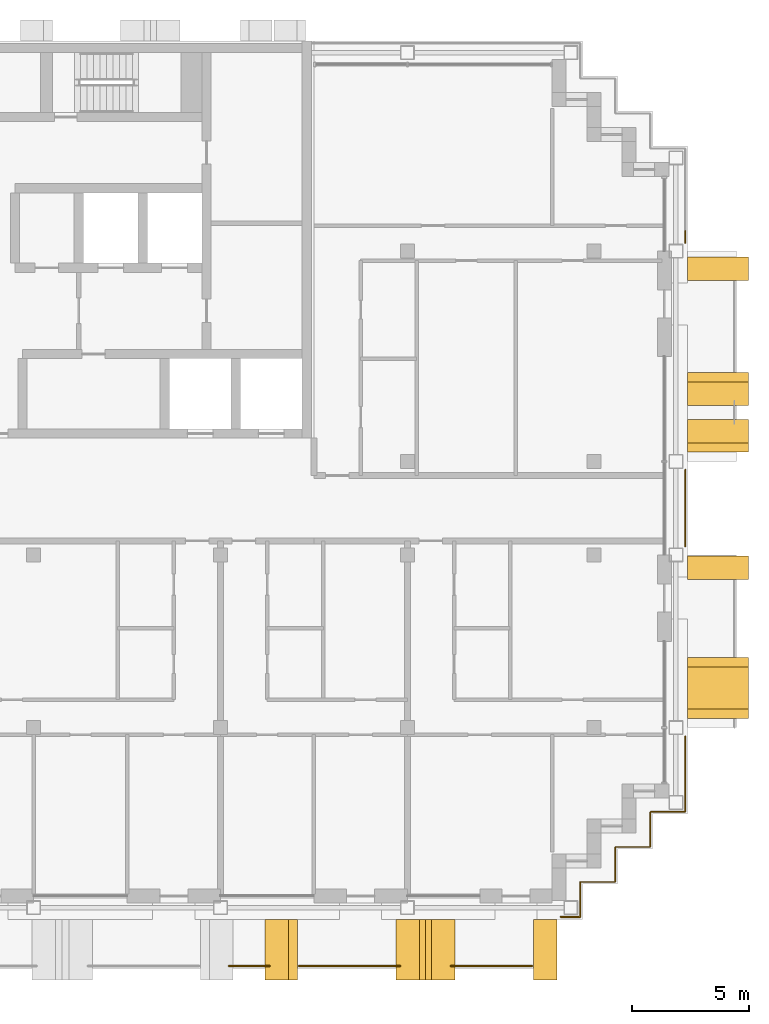
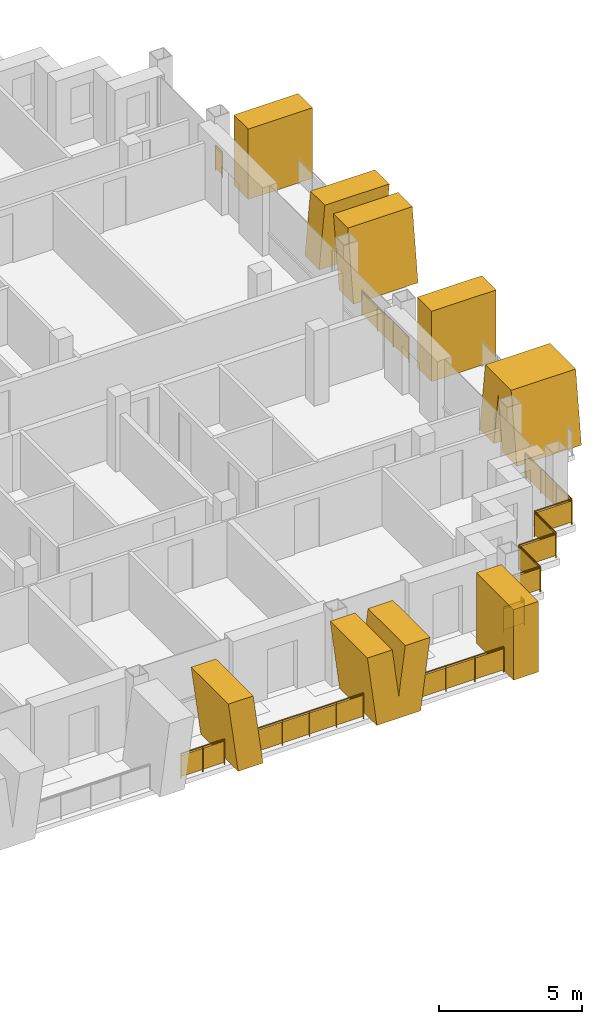
# One storey, part 13 of 15: 8 shading devices, 7 railings.
"""IFC4 building model written with IfcOpenShell, lengths in metres."""

from ifc_helpers import new_model, si_unit, direction, frame, origin, origin_2d, place, context, subcontext, project, spatial, polyline, rectangle, circle, outline, extrude, material, layer, layer_set, type_object, element, save


model = new_model("IFC4")

# Units and contexts
model_context = context("Model", 3, precision=1e-05, world=origin(), true_north=direction((0.0, 1.0)))
body_context = subcontext(model_context, "Body", "Model", "MODEL_VIEW")
ifc_project = project(units=[si_unit("LENGTHUNIT", "METRE"), si_unit("AREAUNIT", "SQUARE_METRE"), si_unit("VOLUMEUNIT", "CUBIC_METRE"), si_unit("PLANEANGLEUNIT", "RADIAN"), si_unit("MASSUNIT", "GRAM", prefix="KILO")], contexts=[model_context])

# Site, building, storey
site_placement = place(None, origin())
site = spatial("IfcSite", under=ifc_project, at=site_placement, CompositionType="ELEMENT")
building_placement = place(site_placement, origin())
building = spatial("IfcBuilding", under=site, at=building_placement, Name="Vidyagriha Tower", CompositionType="ELEMENT")
storey_placement = place(building_placement, frame((0.0, 0.0, 210.800048828125)))
storey = spatial("IfcBuildingStorey", under=building, at=storey_placement, Name="L54", CompositionType="ELEMENT", Elevation=210.800048828125)

# Railings
ifc_material_1 = material(Name="Steel ASTM A500 Grade C black painted", Category="steel")
railing_type_1 = type_object("IfcRailingType", Name="Balcony guard 1100", PredefinedType="BALUSTRADE", material=ifc_material_1)
railing_1_placement = place(storey_placement, frame((10.346435546875, -19.60009765625, 0.0)))
element("IfcRailing", 1, at=railing_1_placement, inside=storey, type_object=railing_type_1, Name="Balcony guard L54 R23.1-7", PredefinedType="BALUSTRADE", context=body_context, shape_type="SweptSolid", body=[
    extrude(circle(Radius=0.02490234375, at=origin_2d()), frame((0.0, 0.0, 1.0751953125), z_axis=(1.0, 0.0, 0.0), x_axis=(0.0, 1.0, 0.0)), (0.0, 0.0, 1.0), 1.757080078125),
    extrude(circle(Radius=0.02001953125, at=origin_2d()), origin(), (0.0, 0.0, 1.0), 1.050048828125),
    extrude(circle(Radius=0.02001953125, at=origin_2d()), frame((0.87841796875, 0.0, 0.0)), (0.0, 0.0, 1.0), 1.050048828125),
    extrude(circle(Radius=0.02001953125, at=origin_2d()), frame((1.757080078125, 0.0, 0.0)), (0.0, 0.0, 1.0), 1.050048828125),
    extrude(rectangle(XDim=0.010009765625, YDim=0.900146484375, at=origin_2d()), frame((0.0, 0.0, 0.550048828125), z_axis=(1.0, 0.0, 0.0), x_axis=(0.0, 1.0, 0.0)), (0.0, 0.0, 1.0), 1.757080078125),
])
railing_2_placement = place(storey_placement, frame((13.35498046875, -19.60009765625, 0.0)))
element("IfcRailing", 2, at=railing_2_placement, inside=storey, type_object=railing_type_1, Name="Balcony guard L54 R23.1-8", PredefinedType="BALUSTRADE", context=body_context, shape_type="SweptSolid", body=[
    extrude(circle(Radius=0.02490234375, at=origin_2d()), frame((0.0, 0.0, 1.0751953125), z_axis=(1.0, 0.0, 0.0), x_axis=(0.0, 1.0, 0.0)), (0.0, 0.0, 1.0), 4.3427734375),
    extrude(circle(Radius=0.02001953125, at=origin_2d()), origin(), (0.0, 0.0, 1.0), 1.050048828125),
    extrude(circle(Radius=0.02001953125, at=origin_2d()), frame((1.085693359375, 0.0, 0.0)), (0.0, 0.0, 1.0), 1.050048828125),
    extrude(circle(Radius=0.02001953125, at=origin_2d()), frame((2.17138671875, 0.0, 0.0)), (0.0, 0.0, 1.0), 1.050048828125),
    extrude(circle(Radius=0.02001953125, at=origin_2d()), frame((3.257080078125, 0.0, 0.0)), (0.0, 0.0, 1.0), 1.050048828125),
    extrude(circle(Radius=0.02001953125, at=origin_2d()), frame((4.3427734375, 0.0, 0.0)), (0.0, 0.0, 1.0), 1.050048828125),
    extrude(rectangle(XDim=0.010009765625, YDim=0.900146484375, at=origin_2d()), frame((0.0, 0.0, 0.550048828125), z_axis=(1.0, 0.0, 0.0), x_axis=(0.0, 1.0, 0.0)), (0.0, 0.0, 1.0), 4.3427734375),
])
railing_3_placement = place(storey_placement, frame((19.852294921875, -19.60009765625, 0.0)))
element("IfcRailing", 3, at=railing_3_placement, inside=storey, type_object=railing_type_1, Name="Balcony guard L54 R23.1-9", PredefinedType="BALUSTRADE", context=body_context, shape_type="SweptSolid", body=[
    extrude(circle(Radius=0.02490234375, at=origin_2d()), frame((0.0, 0.0, 1.0751953125), z_axis=(1.0, 0.0, 0.0), x_axis=(0.0, 1.0, 0.0)), (0.0, 0.0, 1.0), 3.497802734375),
    extrude(circle(Radius=0.02001953125, at=origin_2d()), origin(), (0.0, 0.0, 1.0), 1.050048828125),
    extrude(circle(Radius=0.02001953125, at=origin_2d()), frame((1.166015625, 0.0, 0.0)), (0.0, 0.0, 1.0), 1.050048828125),
    extrude(circle(Radius=0.02001953125, at=origin_2d()), frame((2.331787109375, 0.0, 0.0)), (0.0, 0.0, 1.0), 1.050048828125),
    extrude(circle(Radius=0.02001953125, at=origin_2d()), frame((3.497802734375, 0.0, 0.0)), (0.0, 0.0, 1.0), 1.050048828125),
    extrude(rectangle(XDim=0.010009765625, YDim=0.900146484375, at=origin_2d()), frame((0.0, 0.0, 0.550048828125), z_axis=(1.0, 0.0, 0.0), x_axis=(0.0, 1.0, 0.0)), (0.0, 0.0, 1.0), 3.497802734375),
])

# Shading devices
ifc_material_2 = material(Name="Precast concrete C40/50 with buff brick facing", Category="concrete")
ifc_layer_1 = layer(ifc_material_2, 1.0)
ifc_layer_set_1 = layer_set([ifc_layer_1], Name="Precast concrete C40/50 with buff brick facing")
shading_device_type_1 = type_object("IfcShadingDeviceType", Name="Brick-faced blade fin arm leaning 8 degrees", PredefinedType="USERDEFINED", material=ifc_layer_set_1)
shading_device_1_placement = place(storey_placement, frame((11.909912109375, -18.89990234375, 0.0)))
element("IfcShadingDevice", 4, at=shading_device_1_placement, inside=storey, type_object=shading_device_type_1, Name="Leaning blade fin L54 R23.3420b", ObjectType="BLADE FIN", PredefinedType="USERDEFINED", context=body_context, shape_type="SweptSolid", body=[
    extrude(outline(polyline([(0.39501953125, 0.0), (1.39501953125, 0.0), (1.0, 3.0), (0.0, 3.0), (0.39501953125, 0.0)])), frame((0.0, 1.300048828125, 0.0), z_axis=(0.0, -1.0, 0.0), x_axis=(1.0, 0.0, 0.0)), (0.0, 0.0, 1.0), 2.60009765625),
])
shading_device_2_placement = place(storey_placement, frame((31.300048828125, 2.39990234375, 0.0), z_axis=(0.0, 0.0, 1.0), x_axis=(0.0, 1.0, 0.0)))
element("IfcShadingDevice", 5, at=shading_device_2_placement, inside=storey, type_object=shading_device_type_1, Name="Leaning blade fin L54 R30.1380a", ObjectType="BLADE FIN", PredefinedType="USERDEFINED", context=body_context, shape_type="SweptSolid", body=[
    extrude(outline(polyline([(0.0, 0.0), (1.0, 0.0), (1.39990234375, 3.0), (0.39990234375, 3.0), (0.0, 0.0)])), frame((0.0, 1.300048828125, 0.0), z_axis=(0.0, -1.0, 0.0), x_axis=(1.0, 0.0, 0.0)), (0.0, 0.0, 1.0), 2.60009765625),
])
shading_device_3_placement = place(storey_placement, frame((31.300048828125, 4.39990234375, 0.0), z_axis=(0.0, 0.0, 1.0), x_axis=(0.0, 1.0, 0.0)))
element("IfcShadingDevice", 6, at=shading_device_3_placement, inside=storey, type_object=shading_device_type_1, Name="Leaning blade fin L54 R30.1380b", ObjectType="BLADE FIN", PredefinedType="USERDEFINED", context=body_context, shape_type="SweptSolid", body=[
    extrude(outline(polyline([(0.39990234375, 0.0), (1.39990234375, 0.0), (1.0, 3.0), (0.0, 3.0), (0.39990234375, 0.0)])), frame((0.0, 1.300048828125, 0.0), z_axis=(0.0, -1.0, 0.0), x_axis=(1.0, 0.0, 0.0)), (0.0, 0.0, 1.0), 2.60009765625),
])
ifc_material_3 = material(Name="Precast concrete C40/50 with buff brick facing", Category="concrete")
ifc_layer_2 = layer(ifc_material_3, 1.0)
ifc_layer_set_2 = layer_set([ifc_layer_2], Name="Precast concrete C40/50 with buff brick facing")
shading_device_type_2 = type_object("IfcShadingDeviceType", Name="Brick-faced blade fin forking 8 degrees", PredefinedType="USERDEFINED", material=ifc_layer_set_2)
shading_device_4_placement = place(storey_placement, frame((17.512451171875, -18.89990234375, 0.0)))
element("IfcShadingDevice", 7, at=shading_device_4_placement, inside=storey, type_object=shading_device_type_2, Name="Forked blade fin L54 R23.4220a", ObjectType="BLADE FIN", PredefinedType="USERDEFINED", context=body_context, shape_type="SweptSolid", body=[
    extrude(outline(polyline([(0.38134765625, 0.0), (2.143798828125, 0.0), (2.52490234375, 3.0), (1.52490234375, 3.0), (1.262451171875, 0.934326171875), (1.0, 3.0), (0.0, 3.0), (0.38134765625, 0.0)])), frame((0.0, 1.300048828125, 0.0), z_axis=(0.0, -1.0, 0.0), x_axis=(1.0, 0.0, 0.0)), (0.0, 0.0, 1.0), 2.60009765625),
])
shading_device_5_placement = place(storey_placement, frame((31.300048828125, -9.0, 0.0), z_axis=(0.0, 0.0, 1.0), x_axis=(0.0, 1.0, 0.0)))
element("IfcShadingDevice", 8, at=shading_device_5_placement, inside=storey, type_object=shading_device_type_2, Name="Forked blade fin L54 R30.240a", ObjectType="BLADE FIN", PredefinedType="USERDEFINED", context=body_context, shape_type="SweptSolid", body=[
    extrude(outline(polyline([(1.0, 0.0), (1.300048828125, 2.25), (1.60009765625, 0.0), (2.60009765625, 0.0), (2.199951171875, 3.0), (0.39990234375, 3.0), (0.0, 0.0), (1.0, 0.0)])), frame((0.0, 1.300048828125, 0.0), z_axis=(0.0, -1.0, 0.0), x_axis=(1.0, 0.0, 0.0)), (0.0, 0.0, 1.0), 2.60009765625),
])
ifc_material_4 = material(Name="Precast concrete C40/50 with buff brick facing", Category="concrete")
ifc_layer_3 = layer(ifc_material_4, 1.0)
ifc_layer_set_3 = layer_set([ifc_layer_3], Name="Precast concrete C40/50 with buff brick facing")
shading_device_type_3 = type_object("IfcShadingDeviceType", Name="Brick-faced blade fin stem 1000", PredefinedType="USERDEFINED", material=ifc_layer_set_3)
shading_device_6_placement = place(storey_placement, frame((23.39990234375, -18.89990234375, 0.0)))
element("IfcShadingDevice", 9, at=shading_device_6_placement, inside=storey, type_object=shading_device_type_3, Name="Stem blade fin L54 R23.4840a", ObjectType="BLADE FIN", PredefinedType="USERDEFINED", context=body_context, shape_type="SweptSolid", body=[
    extrude(outline(polyline([(0.0, 0.0), (1.0, 0.0), (1.0, 3.0), (0.0, 3.0), (0.0, 0.0)])), frame((0.0, 1.300048828125, 0.0), z_axis=(0.0, -1.0, 0.0), x_axis=(1.0, 0.0, 0.0)), (0.0, 0.0, 1.0), 2.60009765625),
])
for number, where, z_axis, x_axis, name in (
    (10, (31.300048828125, -3.050048828125, 0.0), (0.0, 0.0, 1.0), (0.0, 1.0, 0.0), "Stem blade fin L54 R30.980a"),
    (11, (31.300048828125, 9.75, 0.0), (0.0, 0.0, 1.0), (0.0, 1.0, 0.0), "Stem blade fin L54 R30.2280a"),
):
    element("IfcShadingDevice", number, at=place(storey_placement, frame(where, z_axis=z_axis, x_axis=x_axis)), inside=storey, type_object=shading_device_type_3, Name=name, ObjectType="BLADE FIN", PredefinedType="USERDEFINED", context=body_context, shape_type="SweptSolid", body=[
        extrude(outline(polyline([(0.0, 0.0), (1.0, 0.0), (1.0, 3.0), (0.0, 3.0), (0.0, 0.0)])), frame((0.0, 1.300048828125, 0.0), z_axis=(0.0, -1.0, 0.0), x_axis=(1.0, 0.0, 0.0)), (0.0, 0.0, 1.0), 2.60009765625),
    ])

# Railings
ifc_material_5 = material(Name="Steel ASTM A500 Grade C black painted", Category="steel")
railing_type_2 = type_object("IfcRailingType", Name="Gallery guard 1100", PredefinedType="GUARDRAIL", material=ifc_material_5)
railing_4_placement = place(storey_placement, frame((29.89990234375, 11.8701171875, 0.0)))
element("IfcRailing", 12, at=railing_4_placement, inside=storey, type_object=railing_type_2, Name="Gallery guard L54 9", PredefinedType="GUARDRAIL", context=body_context, shape_type="SweptSolid", body=[
    extrude(circle(Radius=0.02490234375, at=origin_2d()), frame((0.0, 0.0, 1.0751953125), z_axis=(0.0, -1.0, 0.0), x_axis=(1.0, 0.0, 0.0)), (0.0, 0.0, 1.0), 0.510009765625),
    extrude(circle(Radius=0.02001953125, at=origin_2d()), origin(), (0.0, 0.0, 1.0), 1.050048828125),
    extrude(circle(Radius=0.02001953125, at=origin_2d()), frame((0.0, -0.510009765625, 0.0)), (0.0, 0.0, 1.0), 1.050048828125),
    extrude(rectangle(XDim=0.010009765625, YDim=0.900146484375, at=origin_2d()), frame((0.0, 0.0, 0.550048828125), z_axis=(0.0, -1.0, 0.0), x_axis=(1.0, 0.0, 0.0)), (0.0, 0.0, 1.0), 0.510009765625),
])
railing_5_placement = place(storey_placement, frame((29.89990234375, -9.760009765625, 0.0)))
element("IfcRailing", 13, at=railing_5_placement, inside=storey, type_object=railing_type_2, Name="Gallery guard L54 10", PredefinedType="GUARDRAIL", context=body_context, shape_type="SweptSolid", body=[
    extrude(circle(Radius=0.02490234375, at=origin_2d()), frame((0.0, 0.0, 1.0751953125), z_axis=(0.0, -1.0, 0.0), x_axis=(1.0, 0.0, 0.0)), (0.0, 0.0, 1.0), 3.239990234375),
    extrude(circle(Radius=0.02490234375, at=origin_2d()), frame((0.0, -3.239990234375, 1.0751953125), z_axis=(-1.0, 0.0, 0.0), x_axis=(0.0, -1.0, 0.0)), (0.0, 0.0, 1.0), 1.5),
    extrude(circle(Radius=0.02490234375, at=origin_2d()), frame((-1.5, -3.239990234375, 1.0751953125), z_axis=(0.0, -1.0, 0.0), x_axis=(1.0, 0.0, 0.0)), (0.0, 0.0, 1.0), 1.5),
    extrude(circle(Radius=0.02490234375, at=origin_2d()), frame((-1.5, -4.739990234375, 1.0751953125), z_axis=(-1.0, 0.0, 0.0), x_axis=(0.0, -1.0, 0.0)), (0.0, 0.0, 1.0), 1.5),
    extrude(circle(Radius=0.02490234375, at=origin_2d()), frame((-3.0, -4.739990234375, 1.0751953125), z_axis=(0.0, -1.0, 0.0), x_axis=(1.0, 0.0, 0.0)), (0.0, 0.0, 1.0), 1.5),
    extrude(circle(Radius=0.02490234375, at=origin_2d()), frame((-3.0, -6.239990234375, 1.0751953125), z_axis=(-1.0, 0.0, 0.0), x_axis=(0.0, -1.0, 0.0)), (0.0, 0.0, 1.0), 1.5),
    extrude(circle(Radius=0.02490234375, at=origin_2d()), frame((-4.5, -6.239990234375, 1.0751953125), z_axis=(0.0, -1.0, 0.0), x_axis=(1.0, 0.0, 0.0)), (0.0, 0.0, 1.0), 1.260009765625),
    extrude(circle(Radius=0.02001953125, at=origin_2d()), origin(), (0.0, 0.0, 1.0), 1.050048828125),
    extrude(circle(Radius=0.02001953125, at=origin_2d()), frame((0.0, -1.080078125, 0.0)), (0.0, 0.0, 1.0), 1.050048828125),
    extrude(circle(Radius=0.02001953125, at=origin_2d()), frame((0.0, -2.159912109375, 0.0)), (0.0, 0.0, 1.0), 1.050048828125),
    extrude(circle(Radius=0.02001953125, at=origin_2d()), frame((0.0, -3.239990234375, 0.0)), (0.0, 0.0, 1.0), 1.050048828125),
    extrude(circle(Radius=0.02001953125, at=origin_2d()), frame((-1.5, -3.239990234375, 0.0)), (0.0, 0.0, 1.0), 1.050048828125),
    extrude(circle(Radius=0.02001953125, at=origin_2d()), frame((-1.5, -4.739990234375, 0.0)), (0.0, 0.0, 1.0), 1.050048828125),
    extrude(circle(Radius=0.02001953125, at=origin_2d()), frame((-3.0, -4.739990234375, 0.0)), (0.0, 0.0, 1.0), 1.050048828125),
    extrude(circle(Radius=0.02001953125, at=origin_2d()), frame((-3.0, -6.239990234375, 0.0)), (0.0, 0.0, 1.0), 1.050048828125),
    extrude(circle(Radius=0.02001953125, at=origin_2d()), frame((-4.5, -6.239990234375, 0.0)), (0.0, 0.0, 1.0), 1.050048828125),
    extrude(circle(Radius=0.02001953125, at=origin_2d()), frame((-4.5, -7.5, 0.0)), (0.0, 0.0, 1.0), 1.050048828125),
    extrude(rectangle(XDim=0.010009765625, YDim=0.900146484375, at=origin_2d()), frame((0.0, 0.0, 0.550048828125), z_axis=(0.0, -1.0, 0.0), x_axis=(1.0, 0.0, 0.0)), (0.0, 0.0, 1.0), 3.239990234375),
    extrude(rectangle(XDim=0.010009765625, YDim=0.900146484375, at=origin_2d()), frame((0.0, -3.239990234375, 0.550048828125), z_axis=(-1.0, 0.0, 0.0), x_axis=(0.0, -1.0, 0.0)), (0.0, 0.0, 1.0), 1.5),
    extrude(rectangle(XDim=0.010009765625, YDim=0.900146484375, at=origin_2d()), frame((-1.5, -3.239990234375, 0.550048828125), z_axis=(0.0, -1.0, 0.0), x_axis=(1.0, 0.0, 0.0)), (0.0, 0.0, 1.0), 1.5),
    extrude(rectangle(XDim=0.010009765625, YDim=0.900146484375, at=origin_2d()), frame((-1.5, -4.739990234375, 0.550048828125), z_axis=(-1.0, 0.0, 0.0), x_axis=(0.0, -1.0, 0.0)), (0.0, 0.0, 1.0), 1.5),
    extrude(rectangle(XDim=0.010009765625, YDim=0.900146484375, at=origin_2d()), frame((-3.0, -4.739990234375, 0.550048828125), z_axis=(0.0, -1.0, 0.0), x_axis=(1.0, 0.0, 0.0)), (0.0, 0.0, 1.0), 1.5),
    extrude(rectangle(XDim=0.010009765625, YDim=0.900146484375, at=origin_2d()), frame((-3.0, -6.239990234375, 0.550048828125), z_axis=(-1.0, 0.0, 0.0), x_axis=(0.0, -1.0, 0.0)), (0.0, 0.0, 1.0), 1.5),
    extrude(rectangle(XDim=0.010009765625, YDim=0.900146484375, at=origin_2d()), frame((-4.5, -6.239990234375, 0.550048828125), z_axis=(0.0, -1.0, 0.0), x_axis=(1.0, 0.0, 0.0)), (0.0, 0.0, 1.0), 1.260009765625),
])
railing_6_placement = place(storey_placement, frame((25.39990234375, -17.260009765625, 0.0)))
element("IfcRailing", 14, at=railing_6_placement, inside=storey, type_object=railing_type_2, Name="Gallery guard L54 11", PredefinedType="GUARDRAIL", context=body_context, shape_type="SweptSolid", body=[
    extrude(circle(Radius=0.02490234375, at=origin_2d()), frame((0.0, 0.0, 1.0751953125), z_axis=(0.0, -1.0, 0.0), x_axis=(1.0, 0.0, 0.0)), (0.0, 0.0, 1.0), 0.239990234375),
    extrude(circle(Radius=0.02490234375, at=origin_2d()), frame((0.0, -0.239990234375, 1.0751953125), z_axis=(-1.0, 0.0, 0.0), x_axis=(0.0, -1.0, 0.0)), (0.0, 0.0, 1.0), 0.83984375),
    extrude(circle(Radius=0.02001953125, at=origin_2d()), origin(), (0.0, 0.0, 1.0), 1.050048828125),
    extrude(circle(Radius=0.02001953125, at=origin_2d()), frame((0.0, -0.239990234375, 0.0)), (0.0, 0.0, 1.0), 1.050048828125),
    extrude(circle(Radius=0.02001953125, at=origin_2d()), frame((-0.83984375, -0.239990234375, 0.0)), (0.0, 0.0, 1.0), 1.050048828125),
    extrude(rectangle(XDim=0.010009765625, YDim=0.900146484375, at=origin_2d()), frame((0.0, 0.0, 0.550048828125), z_axis=(0.0, -1.0, 0.0), x_axis=(1.0, 0.0, 0.0)), (0.0, 0.0, 1.0), 0.239990234375),
    extrude(rectangle(XDim=0.010009765625, YDim=0.900146484375, at=origin_2d()), frame((0.0, -0.239990234375, 0.550048828125), z_axis=(-1.0, 0.0, 0.0), x_axis=(0.0, -1.0, 0.0)), (0.0, 0.0, 1.0), 0.83984375),
])
railing_7_placement = place(storey_placement, frame((29.89990234375, 1.639892578125, 0.0)))
element("IfcRailing", 15, at=railing_7_placement, inside=storey, type_object=railing_type_2, Name="Gallery guard L54 12", PredefinedType="GUARDRAIL", context=body_context, shape_type="SweptSolid", body=[
    extrude(circle(Radius=0.02490234375, at=origin_2d()), frame((0.0, 0.0, 1.0751953125), z_axis=(0.0, -1.0, 0.0), x_axis=(1.0, 0.0, 0.0)), (0.0, 0.0, 1.0), 3.27978515625),
    extrude(circle(Radius=0.02001953125, at=origin_2d()), origin(), (0.0, 0.0, 1.0), 1.050048828125),
    extrude(circle(Radius=0.02001953125, at=origin_2d()), frame((0.0, -1.09326171875, 0.0)), (0.0, 0.0, 1.0), 1.050048828125),
    extrude(circle(Radius=0.02001953125, at=origin_2d()), frame((0.0, -2.1865234375, 0.0)), (0.0, 0.0, 1.0), 1.050048828125),
    extrude(circle(Radius=0.02001953125, at=origin_2d()), frame((0.0, -3.27978515625, 0.0)), (0.0, 0.0, 1.0), 1.050048828125),
    extrude(rectangle(XDim=0.010009765625, YDim=0.900146484375, at=origin_2d()), frame((0.0, 0.0, 0.550048828125), z_axis=(0.0, -1.0, 0.0), x_axis=(1.0, 0.0, 0.0)), (0.0, 0.0, 1.0), 3.27978515625),
])

save(model, "model.ifc")
